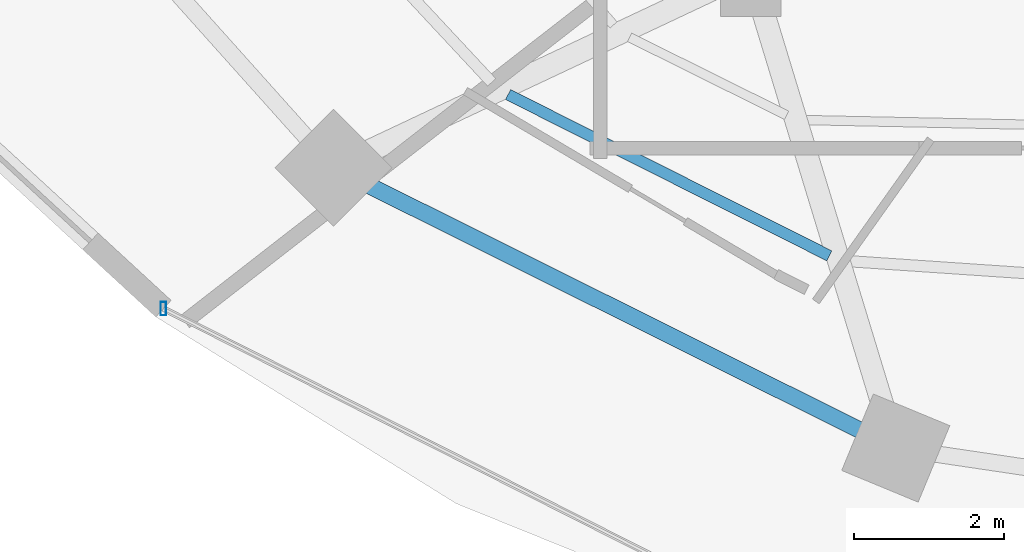
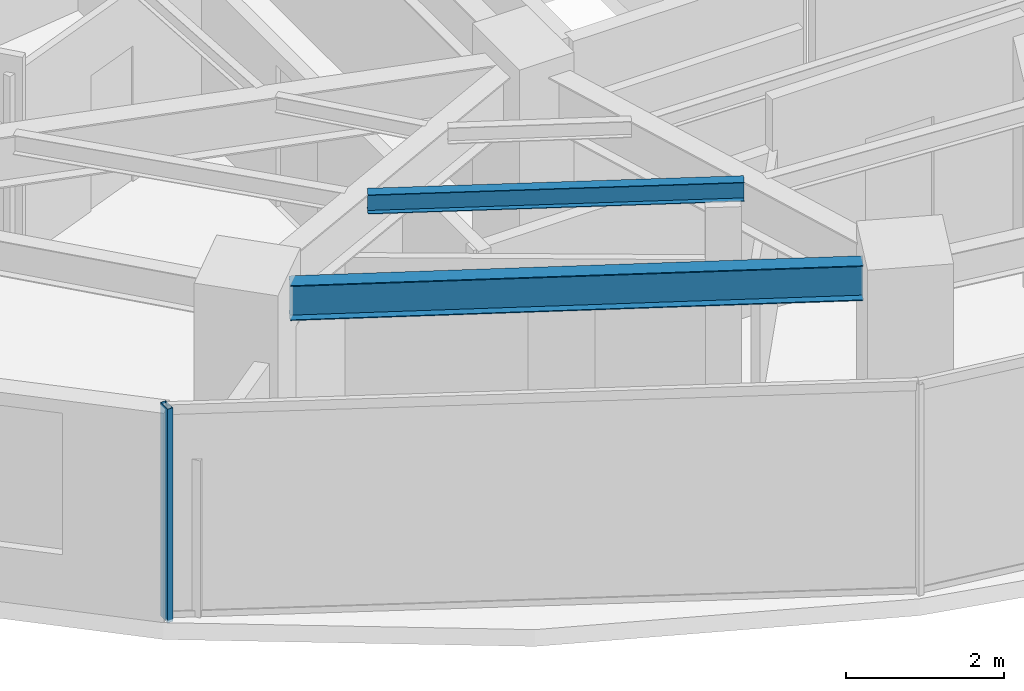
# One storey, part 2 of 30: 2 beams, 1 member, 1 element without a shape of its own.
"""IFC4 building model written with IfcOpenShell, lengths in metres."""

from ifc_helpers import new_model, si_unit, direction, frame, origin, origin_2d, place, context, subcontext, project, spatial, hollow_rectangle, i_section, extrude, material, material_profile, profile_set, type_object, element, aggregate, save


model = new_model("IFC4")

# Units and contexts
model_context = context("Model", 3, precision=1e-05, world=origin(), true_north=direction((0.0, 1.0)))
body_context = subcontext(model_context, "Body", "Model", "MODEL_VIEW")
ifc_project = project(units=[si_unit("LENGTHUNIT", "METRE"), si_unit("AREAUNIT", "SQUARE_METRE"), si_unit("VOLUMEUNIT", "CUBIC_METRE"), si_unit("PLANEANGLEUNIT", "RADIAN"), si_unit("MASSUNIT", "GRAM", prefix="KILO")], contexts=[model_context])

# Site, building, storey
site_placement = place(None, origin())
site = spatial("IfcSite", under=ifc_project, at=site_placement, CompositionType="ELEMENT")
building_placement = place(site_placement, origin())
building = spatial("IfcBuilding", under=site, at=building_placement, Name="Vorneva Point Tower", CompositionType="ELEMENT")
storey_placement = place(building_placement, frame((0.0, 0.0, 92.800048828125)))
storey = spatial("IfcBuildingStorey", under=building, at=storey_placement, Name="L24", CompositionType="ELEMENT", Elevation=92.800048828125)

# Beams
ifc_material_1 = material(Name="Steel S355", Category="steel")
ifc_material_profile_1 = material_profile(ifc_material_1, i_section(OverallWidth=0.14892578125, OverallDepth=0.298095703125, WebThickness=0.005615234375, FlangeThickness=0.008056640625, at=origin_2d()), Name="30B1")
ifc_profile_set_1 = profile_set([ifc_material_profile_1], Name="Steel S355")
beam_type_1 = type_object("IfcBeamType", Name="BM-JST-30B1", PredefinedType="JOIST", material=ifc_profile_set_1)
beam_1_placement = place(storey_placement, frame((24.02294921875, 14.810791015625, 3.091064453125), z_axis=(0.89376245769, -0.448540599304, 0.0), x_axis=(0.448540599304, 0.89376245769, 0.0)))
element("IfcBeam", 1, at=beam_1_placement, inside=storey, type_object=beam_type_1, Name="L24 Secondary Floor Beam 1.11", PredefinedType="JOIST", context=body_context, shape_type="SweptSolid", body=[
    extrude(i_section(OverallWidth=0.14892578125, OverallDepth=0.298095703125, WebThickness=0.005615234375, FlangeThickness=0.008056640625, at=origin_2d()), origin(), (0.0, 0.0, 1.0), 4.78173828125),
])
ifc_material_profile_2 = material_profile(ifc_material_1, i_section(OverallWidth=0.219970703125, OverallDepth=0.54296875, WebThickness=0.009521484375, FlangeThickness=0.013427734375, at=origin_2d()), Name="55B1")
ifc_profile_set_2 = profile_set([ifc_material_profile_2], Name="Steel S355")
beam_type_2 = type_object("IfcBeamType", Name="BM-SPN-55B1", PredefinedType="SPANDREL", material=ifc_profile_set_2)
beam_2_placement = place(storey_placement, frame((22.179931640625, 13.59912109375, 2.968505859375), z_axis=(0.894915882304, -0.446234874926, 0.0), x_axis=(0.446234874926, 0.894915882304, 0.0)))
element("IfcBeam", 2, at=beam_2_placement, inside=storey, type_object=beam_type_2, Name="L24 Perimeter Spandrel Ring Beam 11", PredefinedType="SPANDREL", context=body_context, shape_type="SweptSolid", body=[
    extrude(i_section(OverallWidth=0.219970703125, OverallDepth=0.54296875, WebThickness=0.009521484375, FlangeThickness=0.013427734375, at=origin_2d()), origin(), (0.0, 0.0, 1.0), 7.285888671875),
])

# Curtain wall, member
ifc_material_2 = material(Name="Pale anodised aluminium", Category="aluminium")
curtain_wall_type = type_object("IfcCurtainWallType", Name="CW-HTL-SYS", PredefinedType="NOTDEFINED", material=ifc_material_2)
curtain_wall_placement = place(storey_placement, origin())
curtain_wall = element("IfcCurtainWall", 3, at=curtain_wall_placement, inside=storey, type_object=curtain_wall_type, Name="L24 Unitised Curtain Wall CW-L24-R04", PredefinedType="NOTDEFINED")
ifc_material_profile_3 = material_profile(ifc_material_2, hollow_rectangle(XDim=0.074951171875, YDim=0.179931640625, WallThickness=0.00390625, at=origin_2d()), Name="AL-MUL 180x75x4")
ifc_profile_set_3 = profile_set([ifc_material_profile_3], Name="Pale anodised aluminium")
member_type = type_object("IfcMemberType", Name="CW-MUL-180", PredefinedType="MULLION", material=ifc_profile_set_3)
member_placement = place(storey_placement, frame((19.4384765625, 11.9638671875, -0.0400390625), z_axis=(0.0, 0.0, 1.0), x_axis=(1.0, 0.0, 0.0)))
member = element("IfcMember", 4, at=member_placement, type_object=member_type, Name="CW-L24-R04 Mullion 01", PredefinedType="MULLION", context=body_context, shape_type="SweptSolid", body=[
    extrude(hollow_rectangle(XDim=0.074951171875, YDim=0.179931640625, WallThickness=0.00390625, at=origin_2d()), origin(), (0.0, 0.0, 1.0), 3.31005859375),
])
aggregate(curtain_wall, [member])

save(model, "model.ifc")
